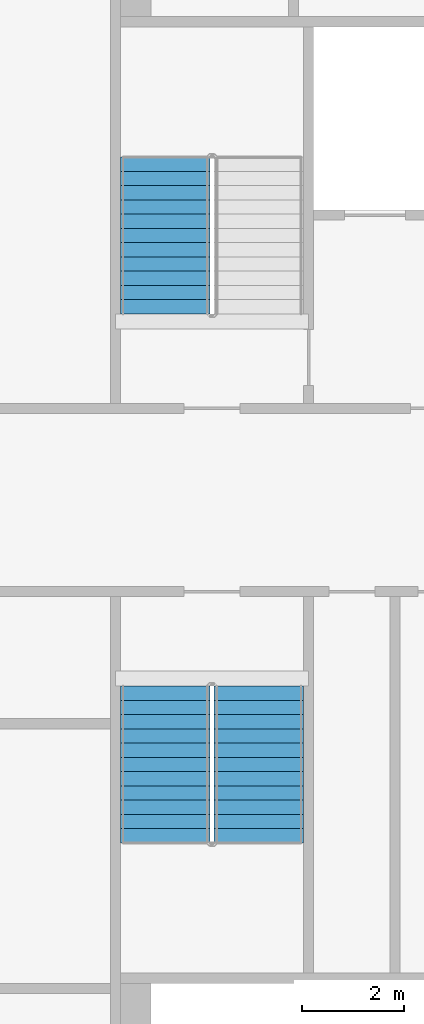
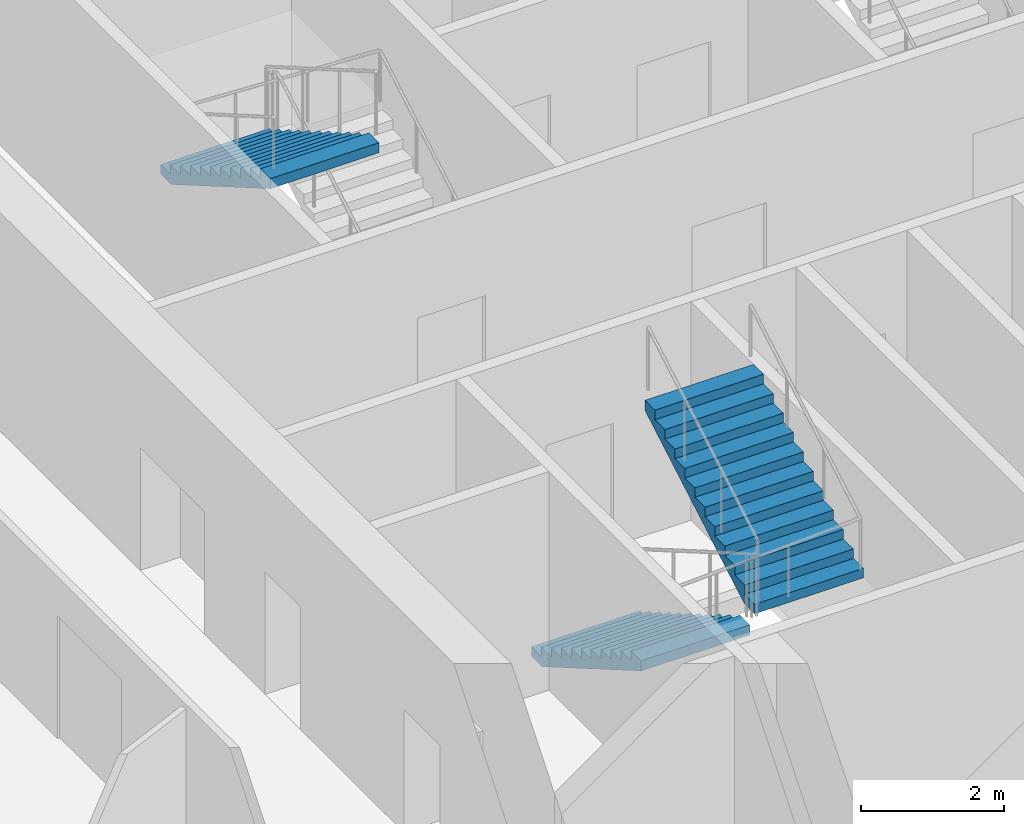
# One storey, part 17 of 24: 3 stair flights, 2 elements without a shape of their own.
"""IFC4 building model written with IfcOpenShell, lengths in metres."""

from ifc_helpers import new_model, si_unit, direction, frame, origin, place, context, subcontext, project, spatial, faceted_brep, material, type_object, element, aggregate, save


model = new_model("IFC4")

# Units and contexts
model_context = context("Model", 3, precision=1e-05, world=origin(), true_north=direction((0.0, 1.0)))
body_context = subcontext(model_context, "Body", "Model", "MODEL_VIEW")
ifc_project = project(units=[si_unit("LENGTHUNIT", "METRE"), si_unit("AREAUNIT", "SQUARE_METRE"), si_unit("VOLUMEUNIT", "CUBIC_METRE"), si_unit("PLANEANGLEUNIT", "RADIAN"), si_unit("MASSUNIT", "GRAM", prefix="KILO")], contexts=[model_context])

# Site, building, storey
site_placement = place(None, origin())
site = spatial("IfcSite", under=ifc_project, at=site_placement, CompositionType="ELEMENT")
building_placement = place(site_placement, origin())
building = spatial("IfcBuilding", under=site, at=building_placement, Name="Tarsis Ring Headquarters", CompositionType="ELEMENT")
storey_placement = place(building_placement, frame((0.0, 0.0, 163.199951171875)))
storey = spatial("IfcBuildingStorey", under=building, at=storey_placement, Name="L37", CompositionType="ELEMENT", Elevation=163.199951171875)

# Stair, stair flight
ifc_material_1 = material(Name="Core stair 1760")
stair_type = type_object("IfcStairType", Name="Core stair 1760", PredefinedType="HALF_TURN_STAIR", material=ifc_material_1)
stair_1_placement = place(storey_placement, origin())
stair_1 = element("IfcStair", 1, at=stair_1_placement, inside=storey, type_object=stair_type, Name="L37 Firefighting stair", PredefinedType="HALF_TURN_STAIR")
ifc_material_2 = material(Name="Concrete C40/50", Category="concrete")
stair_flight_type = type_object("IfcStairFlightType", Name="Core stair flight 1760", PredefinedType="STRAIGHT", material=ifc_material_2)
stair_flight_1_placement = place(storey_placement, frame((-5.419921875, 6.739990234375, 1.949951171875), z_axis=(0.0, 0.0, 1.0), x_axis=(0.0, -1.0, 0.0)))
stair_flight_1 = element("IfcStairFlight", 2, at=stair_flight_1_placement, type_object=stair_flight_type, Name="Stair ST1 flight 2", NumberOfRisers=12, NumberOfTreads=11, PredefinedType="STRAIGHT", RiserHeight=0.1625, TreadLength=0.28, context=body_context, shape_type="Brep", body=[
    faceted_brep([(0.0, 0.8798828125, 0.0), (0.0, 0.8798828125, 0.16259765625), (0.280029296875, 0.8798828125, 0.16259765625), (0.280029296875, 0.8798828125, 0.324951171875), (0.56005859375, 0.8798828125, 0.324951171875), (0.56005859375, 0.8798828125, 0.487548828125), (0.840087890625, 0.8798828125, 0.487548828125), (0.840087890625, 0.8798828125, 0.64990234375), (1.1201171875, 0.8798828125, 0.64990234375), (1.1201171875, 0.8798828125, 0.8125), (1.39990234375, 0.8798828125, 0.8125), (1.39990234375, 0.8798828125, 0.97509765625), (1.679931640625, 0.8798828125, 0.97509765625), (1.679931640625, 0.8798828125, 1.137451171875), (1.9599609375, 0.8798828125, 1.137451171875), (1.9599609375, 0.8798828125, 1.300048828125), (2.239990234375, 0.8798828125, 1.300048828125), (2.239990234375, 0.8798828125, 1.46240234375), (2.52001953125, 0.8798828125, 1.46240234375), (2.52001953125, 0.8798828125, 1.625), (2.800048828125, 0.8798828125, 1.625), (2.800048828125, 0.8798828125, 1.78759765625), (3.080078125, 0.8798828125, 1.78759765625), (3.080078125, 0.8798828125, 1.6142578125), (0.298583984375, 0.8798828125, 0.0), (0.298583984375, -0.8798828125, 0.0), (3.080078125, -0.8798828125, 1.6142578125), (3.080078125, -0.8798828125, 1.78759765625), (2.800048828125, -0.8798828125, 1.78759765625), (2.800048828125, -0.8798828125, 1.625), (2.52001953125, -0.8798828125, 1.625), (2.52001953125, -0.8798828125, 1.46240234375), (2.239990234375, -0.8798828125, 1.46240234375), (2.239990234375, -0.8798828125, 1.300048828125), (1.9599609375, -0.8798828125, 1.300048828125), (1.9599609375, -0.8798828125, 1.137451171875), (1.679931640625, -0.8798828125, 1.137451171875), (1.679931640625, -0.8798828125, 0.97509765625), (1.39990234375, -0.8798828125, 0.97509765625), (1.39990234375, -0.8798828125, 0.8125), (1.1201171875, -0.8798828125, 0.8125), (1.1201171875, -0.8798828125, 0.64990234375), (0.840087890625, -0.8798828125, 0.64990234375), (0.840087890625, -0.8798828125, 0.487548828125), (0.56005859375, -0.8798828125, 0.487548828125), (0.56005859375, -0.8798828125, 0.324951171875), (0.280029296875, -0.8798828125, 0.324951171875), (0.280029296875, -0.8798828125, 0.16259765625), (0.0, -0.8798828125, 0.16259765625), (0.0, -0.8798828125, 0.0), (0.0, -0.43994140625, 0.16259765625), (0.0, -0.43994140625, 0.0), (0.0, 0.0, 0.16259765625), (0.0, 0.0, 0.0), (0.0, 0.43994140625, 0.16259765625), (0.0, 0.43994140625, 0.0), (0.280029296875, -0.43994140625, 0.16259765625), (0.280029296875, 0.0, 0.16259765625), (0.280029296875, 0.43994140625, 0.16259765625), (0.280029296875, -0.43994140625, 0.324951171875), (0.280029296875, 0.0, 0.324951171875), (0.280029296875, 0.43994140625, 0.324951171875), (0.56005859375, -0.43994140625, 0.324951171875), (0.56005859375, 0.0, 0.324951171875), (0.56005859375, 0.43994140625, 0.324951171875), (0.56005859375, -0.43994140625, 0.487548828125), (0.56005859375, 0.0, 0.487548828125), (0.56005859375, 0.43994140625, 0.487548828125), (0.840087890625, -0.43994140625, 0.487548828125), (0.840087890625, 0.0, 0.487548828125), (0.840087890625, 0.43994140625, 0.487548828125), (0.840087890625, -0.43994140625, 0.64990234375), (0.840087890625, 0.0, 0.64990234375), (0.840087890625, 0.43994140625, 0.64990234375), (1.1201171875, -0.43994140625, 0.64990234375), (1.1201171875, 0.0, 0.64990234375), (1.1201171875, 0.43994140625, 0.64990234375), (1.1201171875, -0.43994140625, 0.8125), (1.1201171875, 0.0, 0.8125), (1.1201171875, 0.43994140625, 0.8125), (1.39990234375, -0.43994140625, 0.8125), (1.39990234375, 0.0, 0.8125), (1.39990234375, 0.43994140625, 0.8125), (1.39990234375, -0.43994140625, 0.97509765625), (1.39990234375, 0.0, 0.97509765625), (1.39990234375, 0.43994140625, 0.97509765625), (1.679931640625, -0.43994140625, 0.97509765625), (1.679931640625, 0.0, 0.97509765625), (1.679931640625, 0.43994140625, 0.97509765625), (1.679931640625, -0.43994140625, 1.137451171875), (1.679931640625, 0.0, 1.137451171875), (1.679931640625, 0.43994140625, 1.137451171875), (1.9599609375, -0.43994140625, 1.137451171875), (1.9599609375, 0.0, 1.137451171875), (1.9599609375, 0.43994140625, 1.137451171875), (1.9599609375, -0.43994140625, 1.300048828125), (1.9599609375, 0.0, 1.300048828125), (1.9599609375, 0.43994140625, 1.300048828125), (2.239990234375, -0.43994140625, 1.300048828125), (2.239990234375, 0.0, 1.300048828125), (2.239990234375, 0.43994140625, 1.300048828125), (2.239990234375, -0.43994140625, 1.46240234375), (2.239990234375, 0.0, 1.46240234375), (2.239990234375, 0.43994140625, 1.46240234375), (2.52001953125, -0.43994140625, 1.46240234375), (2.52001953125, 0.0, 1.46240234375), (2.52001953125, 0.43994140625, 1.46240234375), (2.52001953125, -0.43994140625, 1.625), (2.52001953125, 0.0, 1.625), (2.52001953125, 0.43994140625, 1.625), (2.800048828125, -0.43994140625, 1.625), (2.800048828125, 0.0, 1.625), (2.800048828125, 0.43994140625, 1.625), (2.800048828125, -0.43994140625, 1.78759765625), (2.800048828125, 0.0, 1.78759765625), (2.800048828125, 0.43994140625, 1.78759765625), (3.080078125, -0.43994140625, 1.78759765625), (3.080078125, 0.0, 1.78759765625), (3.080078125, 0.43994140625, 1.78759765625), (3.080078125, -0.43994140625, 1.6142578125), (3.080078125, 0.0, 1.6142578125), (3.080078125, 0.43994140625, 1.6142578125), (0.298583984375, -0.43994140625, 0.0), (0.298583984375, 0.0, 0.0), (0.298583984375, 0.43994140625, 0.0)], [[[0, 1, 2, 3, 4, 5, 6, 7, 8, 9, 10, 11, 12, 13, 14, 15, 16, 17, 18, 19, 20, 21, 22, 23, 24]], [[25, 26, 27, 28, 29, 30, 31, 32, 33, 34, 35, 36, 37, 38, 39, 40, 41, 42, 43, 44, 45, 46, 47, 48, 49]], [[49, 48, 50, 51]], [[51, 50, 52, 53]], [[53, 52, 54, 55]], [[55, 54, 1, 0]], [[48, 47, 56, 50]], [[50, 56, 57, 52]], [[52, 57, 58, 54]], [[54, 58, 2, 1]], [[47, 46, 59, 56]], [[56, 59, 60, 57]], [[57, 60, 61, 58]], [[58, 61, 3, 2]], [[46, 45, 62, 59]], [[59, 62, 63, 60]], [[60, 63, 64, 61]], [[61, 64, 4, 3]], [[45, 44, 65, 62]], [[62, 65, 66, 63]], [[63, 66, 67, 64]], [[64, 67, 5, 4]], [[44, 43, 68, 65]], [[65, 68, 69, 66]], [[66, 69, 70, 67]], [[67, 70, 6, 5]], [[43, 42, 71, 68]], [[68, 71, 72, 69]], [[69, 72, 73, 70]], [[70, 73, 7, 6]], [[42, 41, 74, 71]], [[71, 74, 75, 72]], [[72, 75, 76, 73]], [[73, 76, 8, 7]], [[41, 40, 77, 74]], [[74, 77, 78, 75]], [[75, 78, 79, 76]], [[76, 79, 9, 8]], [[40, 39, 80, 77]], [[77, 80, 81, 78]], [[78, 81, 82, 79]], [[79, 82, 10, 9]], [[39, 38, 83, 80]], [[80, 83, 84, 81]], [[81, 84, 85, 82]], [[82, 85, 11, 10]], [[38, 37, 86, 83]], [[83, 86, 87, 84]], [[84, 87, 88, 85]], [[85, 88, 12, 11]], [[37, 36, 89, 86]], [[86, 89, 90, 87]], [[87, 90, 91, 88]], [[88, 91, 13, 12]], [[36, 35, 92, 89]], [[89, 92, 93, 90]], [[90, 93, 94, 91]], [[91, 94, 14, 13]], [[35, 34, 95, 92]], [[92, 95, 96, 93]], [[93, 96, 97, 94]], [[94, 97, 15, 14]], [[34, 33, 98, 95]], [[95, 98, 99, 96]], [[96, 99, 100, 97]], [[97, 100, 16, 15]], [[33, 32, 101, 98]], [[98, 101, 102, 99]], [[99, 102, 103, 100]], [[100, 103, 17, 16]], [[32, 31, 104, 101]], [[101, 104, 105, 102]], [[102, 105, 106, 103]], [[103, 106, 18, 17]], [[31, 30, 107, 104]], [[104, 107, 108, 105]], [[105, 108, 109, 106]], [[106, 109, 19, 18]], [[30, 29, 110, 107]], [[107, 110, 111, 108]], [[108, 111, 112, 109]], [[109, 112, 20, 19]], [[29, 28, 113, 110]], [[110, 113, 114, 111]], [[111, 114, 115, 112]], [[112, 115, 21, 20]], [[28, 27, 116, 113]], [[113, 116, 117, 114]], [[114, 117, 118, 115]], [[115, 118, 22, 21]], [[27, 26, 119, 116]], [[116, 119, 120, 117]], [[117, 120, 121, 118]], [[118, 121, 23, 22]], [[26, 25, 122, 119]], [[119, 122, 123, 120]], [[120, 123, 124, 121]], [[121, 124, 24, 23]], [[25, 49, 51, 122]], [[122, 51, 53, 123]], [[123, 53, 55, 124]], [[124, 55, 0, 24]]]),
])
aggregate(stair_1, [stair_flight_1])

# Stair, stair flights
stair_2_placement = place(storey_placement, origin())
stair_2 = element("IfcStair", 3, at=stair_2_placement, inside=storey, type_object=stair_type, Name="L37 Exit stair C", PredefinedType="HALF_TURN_STAIR")
stair_flight_2_placement = place(storey_placement, frame((-5.419921875, -3.659912109375, 0.0), z_axis=(0.0, 0.0, 1.0), x_axis=(0.0, -1.0, 0.0)))
stair_flight_2 = element("IfcStairFlight", 4, at=stair_flight_2_placement, type_object=stair_flight_type, Name="Stair ST3 flight 1", NumberOfRisers=12, NumberOfTreads=11, PredefinedType="STRAIGHT", RiserHeight=0.1625, TreadLength=0.28, context=body_context, shape_type="Brep", body=[
    faceted_brep([(0.0, 0.8798828125, 0.0), (0.0, 0.8798828125, 0.16259765625), (0.280029296875, 0.8798828125, 0.16259765625), (0.280029296875, 0.8798828125, 0.324951171875), (0.56005859375, 0.8798828125, 0.324951171875), (0.56005859375, 0.8798828125, 0.487548828125), (0.840087890625, 0.8798828125, 0.487548828125), (0.840087890625, 0.8798828125, 0.64990234375), (1.1201171875, 0.8798828125, 0.64990234375), (1.1201171875, 0.8798828125, 0.8125), (1.39990234375, 0.8798828125, 0.8125), (1.39990234375, 0.8798828125, 0.97509765625), (1.679931640625, 0.8798828125, 0.97509765625), (1.679931640625, 0.8798828125, 1.137451171875), (1.9599609375, 0.8798828125, 1.137451171875), (1.9599609375, 0.8798828125, 1.300048828125), (2.239990234375, 0.8798828125, 1.300048828125), (2.239990234375, 0.8798828125, 1.46240234375), (2.52001953125, 0.8798828125, 1.46240234375), (2.52001953125, 0.8798828125, 1.625), (2.800048828125, 0.8798828125, 1.625), (2.800048828125, 0.8798828125, 1.78759765625), (3.080078125, 0.8798828125, 1.78759765625), (3.080078125, 0.8798828125, 1.6142578125), (0.298583984375, 0.8798828125, 0.0), (0.298583984375, -0.8798828125, 0.0), (3.080078125, -0.8798828125, 1.6142578125), (3.080078125, -0.8798828125, 1.78759765625), (2.800048828125, -0.8798828125, 1.78759765625), (2.800048828125, -0.8798828125, 1.625), (2.52001953125, -0.8798828125, 1.625), (2.52001953125, -0.8798828125, 1.46240234375), (2.239990234375, -0.8798828125, 1.46240234375), (2.239990234375, -0.8798828125, 1.300048828125), (1.9599609375, -0.8798828125, 1.300048828125), (1.9599609375, -0.8798828125, 1.137451171875), (1.679931640625, -0.8798828125, 1.137451171875), (1.679931640625, -0.8798828125, 0.97509765625), (1.39990234375, -0.8798828125, 0.97509765625), (1.39990234375, -0.8798828125, 0.8125), (1.1201171875, -0.8798828125, 0.8125), (1.1201171875, -0.8798828125, 0.64990234375), (0.840087890625, -0.8798828125, 0.64990234375), (0.840087890625, -0.8798828125, 0.487548828125), (0.56005859375, -0.8798828125, 0.487548828125), (0.56005859375, -0.8798828125, 0.324951171875), (0.280029296875, -0.8798828125, 0.324951171875), (0.280029296875, -0.8798828125, 0.16259765625), (0.0, -0.8798828125, 0.16259765625), (0.0, -0.8798828125, 0.0), (0.0, -0.43994140625, 0.16259765625), (0.0, -0.43994140625, 0.0), (0.0, 0.0, 0.16259765625), (0.0, 0.0, 0.0), (0.0, 0.43994140625, 0.16259765625), (0.0, 0.43994140625, 0.0), (0.280029296875, -0.43994140625, 0.16259765625), (0.280029296875, 0.0, 0.16259765625), (0.280029296875, 0.43994140625, 0.16259765625), (0.280029296875, -0.43994140625, 0.324951171875), (0.280029296875, 0.0, 0.324951171875), (0.280029296875, 0.43994140625, 0.324951171875), (0.56005859375, -0.43994140625, 0.324951171875), (0.56005859375, 0.0, 0.324951171875), (0.56005859375, 0.43994140625, 0.324951171875), (0.56005859375, -0.43994140625, 0.487548828125), (0.56005859375, 0.0, 0.487548828125), (0.56005859375, 0.43994140625, 0.487548828125), (0.840087890625, -0.43994140625, 0.487548828125), (0.840087890625, 0.0, 0.487548828125), (0.840087890625, 0.43994140625, 0.487548828125), (0.840087890625, -0.43994140625, 0.64990234375), (0.840087890625, 0.0, 0.64990234375), (0.840087890625, 0.43994140625, 0.64990234375), (1.1201171875, -0.43994140625, 0.64990234375), (1.1201171875, 0.0, 0.64990234375), (1.1201171875, 0.43994140625, 0.64990234375), (1.1201171875, -0.43994140625, 0.8125), (1.1201171875, 0.0, 0.8125), (1.1201171875, 0.43994140625, 0.8125), (1.39990234375, -0.43994140625, 0.8125), (1.39990234375, 0.0, 0.8125), (1.39990234375, 0.43994140625, 0.8125), (1.39990234375, -0.43994140625, 0.97509765625), (1.39990234375, 0.0, 0.97509765625), (1.39990234375, 0.43994140625, 0.97509765625), (1.679931640625, -0.43994140625, 0.97509765625), (1.679931640625, 0.0, 0.97509765625), (1.679931640625, 0.43994140625, 0.97509765625), (1.679931640625, -0.43994140625, 1.137451171875), (1.679931640625, 0.0, 1.137451171875), (1.679931640625, 0.43994140625, 1.137451171875), (1.9599609375, -0.43994140625, 1.137451171875), (1.9599609375, 0.0, 1.137451171875), (1.9599609375, 0.43994140625, 1.137451171875), (1.9599609375, -0.43994140625, 1.300048828125), (1.9599609375, 0.0, 1.300048828125), (1.9599609375, 0.43994140625, 1.300048828125), (2.239990234375, -0.43994140625, 1.300048828125), (2.239990234375, 0.0, 1.300048828125), (2.239990234375, 0.43994140625, 1.300048828125), (2.239990234375, -0.43994140625, 1.46240234375), (2.239990234375, 0.0, 1.46240234375), (2.239990234375, 0.43994140625, 1.46240234375), (2.52001953125, -0.43994140625, 1.46240234375), (2.52001953125, 0.0, 1.46240234375), (2.52001953125, 0.43994140625, 1.46240234375), (2.52001953125, -0.43994140625, 1.625), (2.52001953125, 0.0, 1.625), (2.52001953125, 0.43994140625, 1.625), (2.800048828125, -0.43994140625, 1.625), (2.800048828125, 0.0, 1.625), (2.800048828125, 0.43994140625, 1.625), (2.800048828125, -0.43994140625, 1.78759765625), (2.800048828125, 0.0, 1.78759765625), (2.800048828125, 0.43994140625, 1.78759765625), (3.080078125, -0.43994140625, 1.78759765625), (3.080078125, 0.0, 1.78759765625), (3.080078125, 0.43994140625, 1.78759765625), (3.080078125, -0.43994140625, 1.6142578125), (3.080078125, 0.0, 1.6142578125), (3.080078125, 0.43994140625, 1.6142578125), (0.298583984375, -0.43994140625, 0.0), (0.298583984375, 0.0, 0.0), (0.298583984375, 0.43994140625, 0.0)], [[[0, 1, 2, 3, 4, 5, 6, 7, 8, 9, 10, 11, 12, 13, 14, 15, 16, 17, 18, 19, 20, 21, 22, 23, 24]], [[25, 26, 27, 28, 29, 30, 31, 32, 33, 34, 35, 36, 37, 38, 39, 40, 41, 42, 43, 44, 45, 46, 47, 48, 49]], [[49, 48, 50, 51]], [[51, 50, 52, 53]], [[53, 52, 54, 55]], [[55, 54, 1, 0]], [[48, 47, 56, 50]], [[50, 56, 57, 52]], [[52, 57, 58, 54]], [[54, 58, 2, 1]], [[47, 46, 59, 56]], [[56, 59, 60, 57]], [[57, 60, 61, 58]], [[58, 61, 3, 2]], [[46, 45, 62, 59]], [[59, 62, 63, 60]], [[60, 63, 64, 61]], [[61, 64, 4, 3]], [[45, 44, 65, 62]], [[62, 65, 66, 63]], [[63, 66, 67, 64]], [[64, 67, 5, 4]], [[44, 43, 68, 65]], [[65, 68, 69, 66]], [[66, 69, 70, 67]], [[67, 70, 6, 5]], [[43, 42, 71, 68]], [[68, 71, 72, 69]], [[69, 72, 73, 70]], [[70, 73, 7, 6]], [[42, 41, 74, 71]], [[71, 74, 75, 72]], [[72, 75, 76, 73]], [[73, 76, 8, 7]], [[41, 40, 77, 74]], [[74, 77, 78, 75]], [[75, 78, 79, 76]], [[76, 79, 9, 8]], [[40, 39, 80, 77]], [[77, 80, 81, 78]], [[78, 81, 82, 79]], [[79, 82, 10, 9]], [[39, 38, 83, 80]], [[80, 83, 84, 81]], [[81, 84, 85, 82]], [[82, 85, 11, 10]], [[38, 37, 86, 83]], [[83, 86, 87, 84]], [[84, 87, 88, 85]], [[85, 88, 12, 11]], [[37, 36, 89, 86]], [[86, 89, 90, 87]], [[87, 90, 91, 88]], [[88, 91, 13, 12]], [[36, 35, 92, 89]], [[89, 92, 93, 90]], [[90, 93, 94, 91]], [[91, 94, 14, 13]], [[35, 34, 95, 92]], [[92, 95, 96, 93]], [[93, 96, 97, 94]], [[94, 97, 15, 14]], [[34, 33, 98, 95]], [[95, 98, 99, 96]], [[96, 99, 100, 97]], [[97, 100, 16, 15]], [[33, 32, 101, 98]], [[98, 101, 102, 99]], [[99, 102, 103, 100]], [[100, 103, 17, 16]], [[32, 31, 104, 101]], [[101, 104, 105, 102]], [[102, 105, 106, 103]], [[103, 106, 18, 17]], [[31, 30, 107, 104]], [[104, 107, 108, 105]], [[105, 108, 109, 106]], [[106, 109, 19, 18]], [[30, 29, 110, 107]], [[107, 110, 111, 108]], [[108, 111, 112, 109]], [[109, 112, 20, 19]], [[29, 28, 113, 110]], [[110, 113, 114, 111]], [[111, 114, 115, 112]], [[112, 115, 21, 20]], [[28, 27, 116, 113]], [[113, 116, 117, 114]], [[114, 117, 118, 115]], [[115, 118, 22, 21]], [[27, 26, 119, 116]], [[116, 119, 120, 117]], [[117, 120, 121, 118]], [[118, 121, 23, 22]], [[26, 25, 122, 119]], [[119, 122, 123, 120]], [[120, 123, 124, 121]], [[121, 124, 24, 23]], [[25, 49, 51, 122]], [[122, 51, 53, 123]], [[123, 53, 55, 124]], [[124, 55, 0, 24]]]),
])
stair_flight_3_placement = place(storey_placement, frame((-3.580078125, -6.739990234375, 1.949951171875), z_axis=(0.0, 0.0, 1.0), x_axis=(0.0, 1.0, 0.0)))
stair_flight_3 = element("IfcStairFlight", 5, at=stair_flight_3_placement, type_object=stair_flight_type, Name="Stair ST3 flight 2", NumberOfRisers=12, NumberOfTreads=11, PredefinedType="STRAIGHT", RiserHeight=0.1625, TreadLength=0.28, context=body_context, shape_type="Brep", body=[
    faceted_brep([(0.0, 0.8798828125, 0.0), (0.0, 0.8798828125, 0.16259765625), (0.280029296875, 0.8798828125, 0.16259765625), (0.280029296875, 0.8798828125, 0.324951171875), (0.56005859375, 0.8798828125, 0.324951171875), (0.56005859375, 0.8798828125, 0.487548828125), (0.840087890625, 0.8798828125, 0.487548828125), (0.840087890625, 0.8798828125, 0.64990234375), (1.1201171875, 0.8798828125, 0.64990234375), (1.1201171875, 0.8798828125, 0.8125), (1.39990234375, 0.8798828125, 0.8125), (1.39990234375, 0.8798828125, 0.97509765625), (1.679931640625, 0.8798828125, 0.97509765625), (1.679931640625, 0.8798828125, 1.137451171875), (1.9599609375, 0.8798828125, 1.137451171875), (1.9599609375, 0.8798828125, 1.300048828125), (2.239990234375, 0.8798828125, 1.300048828125), (2.239990234375, 0.8798828125, 1.46240234375), (2.52001953125, 0.8798828125, 1.46240234375), (2.52001953125, 0.8798828125, 1.625), (2.800048828125, 0.8798828125, 1.625), (2.800048828125, 0.8798828125, 1.78759765625), (3.080078125, 0.8798828125, 1.78759765625), (3.080078125, 0.8798828125, 1.6142578125), (0.298583984375, 0.8798828125, 0.0), (0.298583984375, -0.8798828125, 0.0), (3.080078125, -0.8798828125, 1.6142578125), (3.080078125, -0.8798828125, 1.78759765625), (2.800048828125, -0.8798828125, 1.78759765625), (2.800048828125, -0.8798828125, 1.625), (2.52001953125, -0.8798828125, 1.625), (2.52001953125, -0.8798828125, 1.46240234375), (2.239990234375, -0.8798828125, 1.46240234375), (2.239990234375, -0.8798828125, 1.300048828125), (1.9599609375, -0.8798828125, 1.300048828125), (1.9599609375, -0.8798828125, 1.137451171875), (1.679931640625, -0.8798828125, 1.137451171875), (1.679931640625, -0.8798828125, 0.97509765625), (1.39990234375, -0.8798828125, 0.97509765625), (1.39990234375, -0.8798828125, 0.8125), (1.1201171875, -0.8798828125, 0.8125), (1.1201171875, -0.8798828125, 0.64990234375), (0.840087890625, -0.8798828125, 0.64990234375), (0.840087890625, -0.8798828125, 0.487548828125), (0.56005859375, -0.8798828125, 0.487548828125), (0.56005859375, -0.8798828125, 0.324951171875), (0.280029296875, -0.8798828125, 0.324951171875), (0.280029296875, -0.8798828125, 0.16259765625), (0.0, -0.8798828125, 0.16259765625), (0.0, -0.8798828125, 0.0), (0.0, -0.43994140625, 0.16259765625), (0.0, -0.43994140625, 0.0), (0.0, 0.0, 0.16259765625), (0.0, 0.0, 0.0), (0.0, 0.43994140625, 0.16259765625), (0.0, 0.43994140625, 0.0), (0.280029296875, -0.43994140625, 0.16259765625), (0.280029296875, 0.0, 0.16259765625), (0.280029296875, 0.43994140625, 0.16259765625), (0.280029296875, -0.43994140625, 0.324951171875), (0.280029296875, 0.0, 0.324951171875), (0.280029296875, 0.43994140625, 0.324951171875), (0.56005859375, -0.43994140625, 0.324951171875), (0.56005859375, 0.0, 0.324951171875), (0.56005859375, 0.43994140625, 0.324951171875), (0.56005859375, -0.43994140625, 0.487548828125), (0.56005859375, 0.0, 0.487548828125), (0.56005859375, 0.43994140625, 0.487548828125), (0.840087890625, -0.43994140625, 0.487548828125), (0.840087890625, 0.0, 0.487548828125), (0.840087890625, 0.43994140625, 0.487548828125), (0.840087890625, -0.43994140625, 0.64990234375), (0.840087890625, 0.0, 0.64990234375), (0.840087890625, 0.43994140625, 0.64990234375), (1.1201171875, -0.43994140625, 0.64990234375), (1.1201171875, 0.0, 0.64990234375), (1.1201171875, 0.43994140625, 0.64990234375), (1.1201171875, -0.43994140625, 0.8125), (1.1201171875, 0.0, 0.8125), (1.1201171875, 0.43994140625, 0.8125), (1.39990234375, -0.43994140625, 0.8125), (1.39990234375, 0.0, 0.8125), (1.39990234375, 0.43994140625, 0.8125), (1.39990234375, -0.43994140625, 0.97509765625), (1.39990234375, 0.0, 0.97509765625), (1.39990234375, 0.43994140625, 0.97509765625), (1.679931640625, -0.43994140625, 0.97509765625), (1.679931640625, 0.0, 0.97509765625), (1.679931640625, 0.43994140625, 0.97509765625), (1.679931640625, -0.43994140625, 1.137451171875), (1.679931640625, 0.0, 1.137451171875), (1.679931640625, 0.43994140625, 1.137451171875), (1.9599609375, -0.43994140625, 1.137451171875), (1.9599609375, 0.0, 1.137451171875), (1.9599609375, 0.43994140625, 1.137451171875), (1.9599609375, -0.43994140625, 1.300048828125), (1.9599609375, 0.0, 1.300048828125), (1.9599609375, 0.43994140625, 1.300048828125), (2.239990234375, -0.43994140625, 1.300048828125), (2.239990234375, 0.0, 1.300048828125), (2.239990234375, 0.43994140625, 1.300048828125), (2.239990234375, -0.43994140625, 1.46240234375), (2.239990234375, 0.0, 1.46240234375), (2.239990234375, 0.43994140625, 1.46240234375), (2.52001953125, -0.43994140625, 1.46240234375), (2.52001953125, 0.0, 1.46240234375), (2.52001953125, 0.43994140625, 1.46240234375), (2.52001953125, -0.43994140625, 1.625), (2.52001953125, 0.0, 1.625), (2.52001953125, 0.43994140625, 1.625), (2.800048828125, -0.43994140625, 1.625), (2.800048828125, 0.0, 1.625), (2.800048828125, 0.43994140625, 1.625), (2.800048828125, -0.43994140625, 1.78759765625), (2.800048828125, 0.0, 1.78759765625), (2.800048828125, 0.43994140625, 1.78759765625), (3.080078125, -0.43994140625, 1.78759765625), (3.080078125, 0.0, 1.78759765625), (3.080078125, 0.43994140625, 1.78759765625), (3.080078125, -0.43994140625, 1.6142578125), (3.080078125, 0.0, 1.6142578125), (3.080078125, 0.43994140625, 1.6142578125), (0.298583984375, -0.43994140625, 0.0), (0.298583984375, 0.0, 0.0), (0.298583984375, 0.43994140625, 0.0)], [[[0, 1, 2, 3, 4, 5, 6, 7, 8, 9, 10, 11, 12, 13, 14, 15, 16, 17, 18, 19, 20, 21, 22, 23, 24]], [[25, 26, 27, 28, 29, 30, 31, 32, 33, 34, 35, 36, 37, 38, 39, 40, 41, 42, 43, 44, 45, 46, 47, 48, 49]], [[49, 48, 50, 51]], [[51, 50, 52, 53]], [[53, 52, 54, 55]], [[55, 54, 1, 0]], [[48, 47, 56, 50]], [[50, 56, 57, 52]], [[52, 57, 58, 54]], [[54, 58, 2, 1]], [[47, 46, 59, 56]], [[56, 59, 60, 57]], [[57, 60, 61, 58]], [[58, 61, 3, 2]], [[46, 45, 62, 59]], [[59, 62, 63, 60]], [[60, 63, 64, 61]], [[61, 64, 4, 3]], [[45, 44, 65, 62]], [[62, 65, 66, 63]], [[63, 66, 67, 64]], [[64, 67, 5, 4]], [[44, 43, 68, 65]], [[65, 68, 69, 66]], [[66, 69, 70, 67]], [[67, 70, 6, 5]], [[43, 42, 71, 68]], [[68, 71, 72, 69]], [[69, 72, 73, 70]], [[70, 73, 7, 6]], [[42, 41, 74, 71]], [[71, 74, 75, 72]], [[72, 75, 76, 73]], [[73, 76, 8, 7]], [[41, 40, 77, 74]], [[74, 77, 78, 75]], [[75, 78, 79, 76]], [[76, 79, 9, 8]], [[40, 39, 80, 77]], [[77, 80, 81, 78]], [[78, 81, 82, 79]], [[79, 82, 10, 9]], [[39, 38, 83, 80]], [[80, 83, 84, 81]], [[81, 84, 85, 82]], [[82, 85, 11, 10]], [[38, 37, 86, 83]], [[83, 86, 87, 84]], [[84, 87, 88, 85]], [[85, 88, 12, 11]], [[37, 36, 89, 86]], [[86, 89, 90, 87]], [[87, 90, 91, 88]], [[88, 91, 13, 12]], [[36, 35, 92, 89]], [[89, 92, 93, 90]], [[90, 93, 94, 91]], [[91, 94, 14, 13]], [[35, 34, 95, 92]], [[92, 95, 96, 93]], [[93, 96, 97, 94]], [[94, 97, 15, 14]], [[34, 33, 98, 95]], [[95, 98, 99, 96]], [[96, 99, 100, 97]], [[97, 100, 16, 15]], [[33, 32, 101, 98]], [[98, 101, 102, 99]], [[99, 102, 103, 100]], [[100, 103, 17, 16]], [[32, 31, 104, 101]], [[101, 104, 105, 102]], [[102, 105, 106, 103]], [[103, 106, 18, 17]], [[31, 30, 107, 104]], [[104, 107, 108, 105]], [[105, 108, 109, 106]], [[106, 109, 19, 18]], [[30, 29, 110, 107]], [[107, 110, 111, 108]], [[108, 111, 112, 109]], [[109, 112, 20, 19]], [[29, 28, 113, 110]], [[110, 113, 114, 111]], [[111, 114, 115, 112]], [[112, 115, 21, 20]], [[28, 27, 116, 113]], [[113, 116, 117, 114]], [[114, 117, 118, 115]], [[115, 118, 22, 21]], [[27, 26, 119, 116]], [[116, 119, 120, 117]], [[117, 120, 121, 118]], [[118, 121, 23, 22]], [[26, 25, 122, 119]], [[119, 122, 123, 120]], [[120, 123, 124, 121]], [[121, 124, 24, 23]], [[25, 49, 51, 122]], [[122, 51, 53, 123]], [[123, 53, 55, 124]], [[124, 55, 0, 24]]]),
])
aggregate(stair_2, [stair_flight_2, stair_flight_3])

save(model, "model.ifc")
